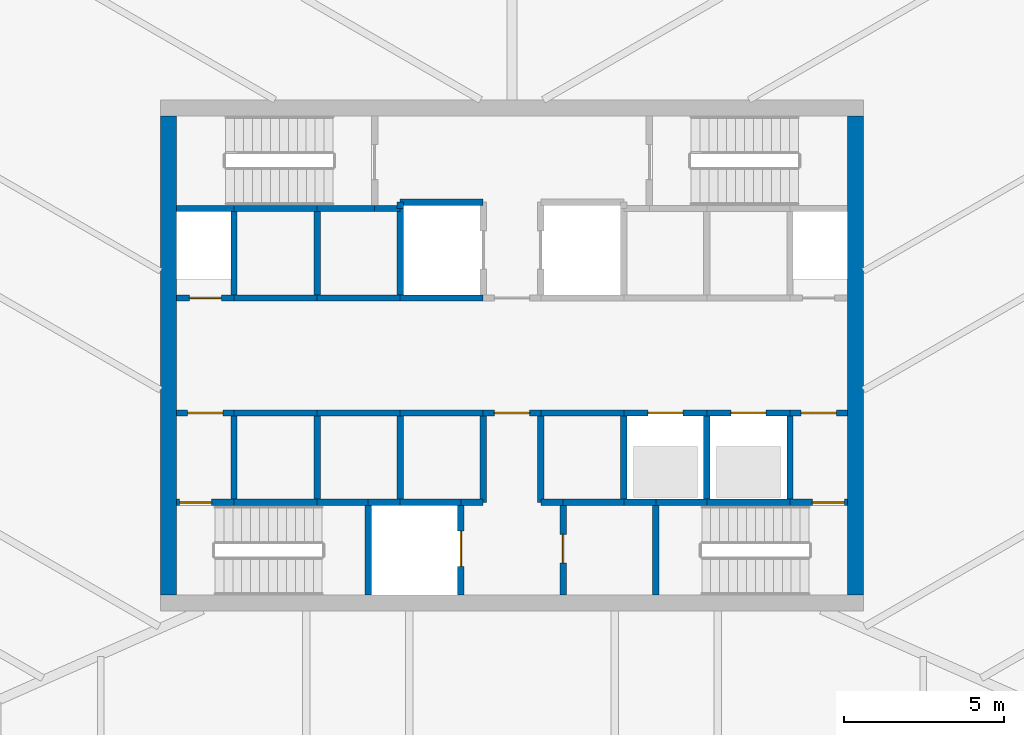
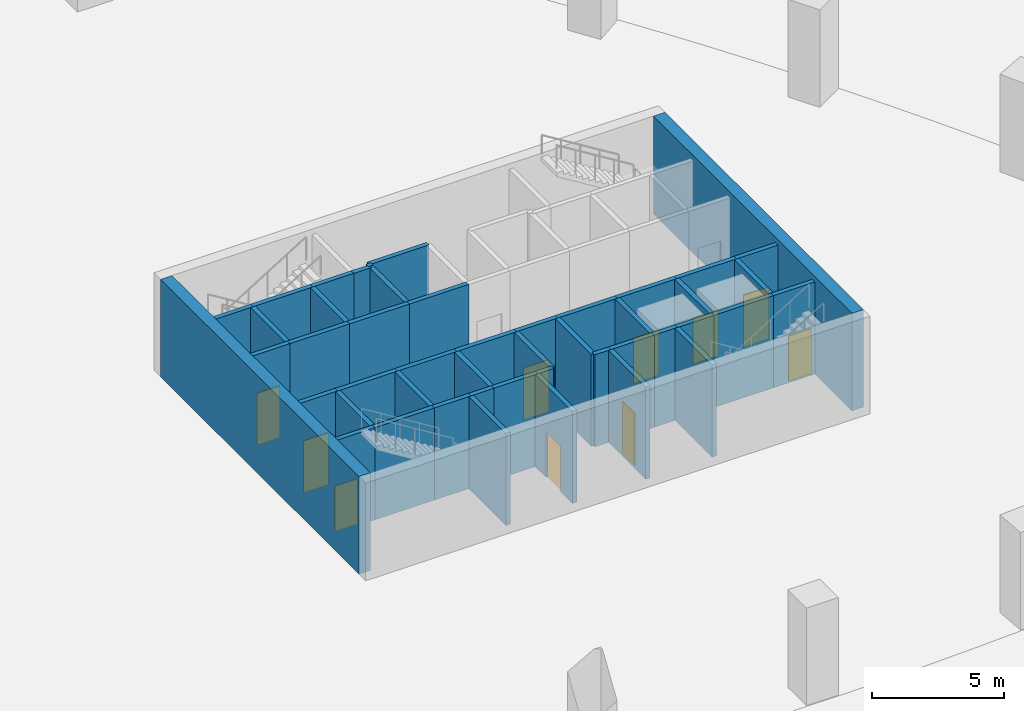
# One storey, part 4 of 10: 48 walls, 10 doors, 10 openings.
"""IFC4 building model written with IfcOpenShell, lengths in metres."""

from ifc_helpers import new_model, si_unit, direction, frame, frame_2d, origin, place, context, subcontext, project, spatial, rectangle, extrude, material, layer, layer_set, type_object, element, fill, save


model = new_model("IFC4")

# Units and contexts
model_context = context("Model", 3, precision=1e-05, world=origin(), true_north=direction((0.0, 1.0)))
body_context = subcontext(model_context, "Body", "Model", "MODEL_VIEW")
ifc_project = project(units=[si_unit("LENGTHUNIT", "METRE"), si_unit("AREAUNIT", "SQUARE_METRE"), si_unit("VOLUMEUNIT", "CUBIC_METRE"), si_unit("PLANEANGLEUNIT", "RADIAN"), si_unit("MASSUNIT", "GRAM", prefix="KILO")], contexts=[model_context])

# Site, building, storey
site_placement = place(None, origin())
site = spatial("IfcSite", under=ifc_project, at=site_placement, CompositionType="ELEMENT")
building_placement = place(site_placement, origin())
building = spatial("IfcBuilding", under=site, at=building_placement, Name="Sierra Prisma Convention Tower", CompositionType="ELEMENT")
storey_placement = place(building_placement, frame((0.0, 0.0, -4.5)))
storey = spatial("IfcBuildingStorey", under=building, at=storey_placement, Name="B1", CompositionType="ELEMENT", Elevation=-4.5)

# Wall, opening, door
ifc_material_1 = material(Name="Concrete C30/37", Category="concrete")
ifc_layer_1 = layer(ifc_material_1, 0.199951171875)
ifc_layer_set_1 = layer_set([ifc_layer_1], Name="Core wall RC 200 C30/37")
wall_type_1 = type_object("IfcWallType", Name="Core wall RC 200 C30/37", PredefinedType="SOLIDWALL", material=ifc_layer_set_1)
wall_1_placement = place(storey_placement, frame((-10.5, -4.60009765625, 0.0), z_axis=(0.0, 0.0, 1.0), x_axis=(1.0, 0.0, 0.0)))
wall_1 = element("IfcWall", 1, at=wall_1_placement, inside=storey, type_object=wall_type_1, Name="Core wall B1 1", PredefinedType="SOLIDWALL", context=body_context, shape_type="SweptSolid", body=[
    extrude(rectangle(XDim=1.800048828125, YDim=0.199951171875, at=frame_2d((0.89990234375, 0.0))), origin(), (0.0, 0.0, 1.0), 4.25),
])
opening_1_placement = place(wall_1_placement, frame((0.10009765625, 0.0, 0.0)))
opening_1 = element("IfcOpeningElement", 2, at=opening_1_placement, cuts=wall_1, Name="Opening B1-D012", PredefinedType="OPENING", context=body_context, shape_type="SweptSolid", body=[
    extrude(rectangle(XDim=1.0, YDim=2.10009765625, at=frame_2d((0.5, 1.050048828125))), frame((0.0, 0.10009765625, 0.0), z_axis=(0.0, -1.0, 0.0), x_axis=(1.0, 0.0, 0.0)), (0.0, 0.0, 1.0), 0.199951171875),
])
ifc_material_2 = material(Name="Steel fire door leaf", Category="steel")
door_type_1 = type_object("IfcDoorType", Name="Door 1000x2100 FD90S", OperationType="SINGLE_SWING_LEFT", PredefinedType="DOOR", material=ifc_material_2)
door_1_placement = place(opening_1_placement, origin())
door_1 = element("IfcDoor", 3, at=door_1_placement, inside=storey, type_object=door_type_1, Name="Door B1 12", OperationType="SINGLE_SWING_LEFT", OverallHeight=2.10009765625, OverallWidth=1.0, PredefinedType="DOOR", context=body_context, shape_type="SweptSolid", body=[
    extrude(rectangle(XDim=1.0, YDim=2.10009765625, at=frame_2d((0.5, 1.050048828125))), frame((0.0, 0.02490234375, 0.0), z_axis=(0.0, -1.0, 0.0), x_axis=(1.0, 0.0, 0.0)), (0.0, 0.0, 1.0), 0.050048828125),
])
fill(opening_1, door_1)

wall_2_placement = place(storey_placement, frame((-10.5, -1.800048828125, 0.0), z_axis=(0.0, 0.0, 1.0), x_axis=(1.0, 0.0, 0.0)))
wall_2 = element("IfcWall", 4, at=wall_2_placement, inside=storey, type_object=wall_type_1, Name="Core wall B1 2", PredefinedType="SOLIDWALL", context=body_context, shape_type="SweptSolid", body=[
    extrude(rectangle(XDim=1.800048828125, YDim=0.199951171875, at=frame_2d((0.89990234375, 0.0))), origin(), (0.0, 0.0, 1.0), 4.25),
])
opening_2_placement = place(wall_2_placement, frame((0.35009765625, 0.0, 0.0)))
opening_2 = element("IfcOpeningElement", 5, at=opening_2_placement, cuts=wall_2, Name="Opening B1-D006", PredefinedType="OPENING", context=body_context, shape_type="SweptSolid", body=[
    extrude(rectangle(XDim=1.10009765625, YDim=2.39990234375, at=frame_2d((0.550048828125, 1.199951171875))), frame((0.0, 0.10009765625, 0.0), z_axis=(0.0, -1.0, 0.0), x_axis=(1.0, 0.0, 0.0)), (0.0, 0.0, 1.0), 0.199951171875),
])
ifc_material_3 = material(Name="Steel fire door leaf", Category="steel")
door_type_2 = type_object("IfcDoorType", Name="Door 1100x2400 FD90S", OperationType="SINGLE_SWING_LEFT", PredefinedType="DOOR", material=ifc_material_3)
door_2_placement = place(opening_2_placement, origin())
door_2 = element("IfcDoor", 6, at=door_2_placement, inside=storey, type_object=door_type_2, Name="Door B1 6", OperationType="SINGLE_SWING_LEFT", OverallHeight=2.39990234375, OverallWidth=1.10009765625, PredefinedType="DOOR", context=body_context, shape_type="SweptSolid", body=[
    extrude(rectangle(XDim=1.10009765625, YDim=2.39990234375, at=frame_2d((0.550048828125, 1.199951171875))), frame((0.0, 0.02490234375, 0.0), z_axis=(0.0, -1.0, 0.0), x_axis=(1.0, 0.0, 0.0)), (0.0, 0.0, 1.0), 0.050048828125),
])
fill(opening_2, door_2)

wall_3_placement = place(storey_placement, frame((-8.699951171875, 1.800048828125, 0.0), z_axis=(0.0, 0.0, 1.0), x_axis=(-1.0, 0.0, 0.0)))
wall_3 = element("IfcWall", 7, at=wall_3_placement, inside=storey, type_object=wall_type_1, Name="Core wall B1 3", PredefinedType="SOLIDWALL", context=body_context, shape_type="SweptSolid", body=[
    extrude(rectangle(XDim=1.800048828125, YDim=0.199951171875, at=frame_2d((0.89990234375, 0.0))), origin(), (0.0, 0.0, 1.0), 4.25),
])
opening_3_placement = place(wall_3_placement, frame((0.39990234375, 0.0, 0.0)))
opening_3 = element("IfcOpeningElement", 8, at=opening_3_placement, cuts=wall_3, Name="Opening B1-D010", PredefinedType="OPENING", context=body_context, shape_type="SweptSolid", body=[
    extrude(rectangle(XDim=1.0, YDim=2.39990234375, at=frame_2d((0.5, 1.199951171875))), frame((0.0, 0.10009765625, 0.0), z_axis=(0.0, -1.0, 0.0), x_axis=(1.0, 0.0, 0.0)), (0.0, 0.0, 1.0), 0.199951171875),
])
ifc_material_4 = material(Name="Steel fire door leaf", Category="steel")
door_type_3 = type_object("IfcDoorType", Name="Door 1000x2400 FD60S", OperationType="SINGLE_SWING_LEFT", PredefinedType="DOOR", material=ifc_material_4)
door_3_placement = place(opening_3_placement, origin())
door_3 = element("IfcDoor", 9, at=door_3_placement, inside=storey, type_object=door_type_3, Name="Door B1 10", OperationType="SINGLE_SWING_RIGHT", OverallHeight=2.39990234375, OverallWidth=1.0, PredefinedType="DOOR", context=body_context, shape_type="SweptSolid", body=[
    extrude(rectangle(XDim=1.0, YDim=2.39990234375, at=frame_2d((0.5, 1.199951171875))), frame((0.0, 0.02490234375, 0.0), z_axis=(0.0, -1.0, 0.0), x_axis=(1.0, 0.0, 0.0)), (0.0, 0.0, 1.0), 0.050048828125),
])
fill(opening_3, door_3)

# Walls
wall_4_placement = place(storey_placement, frame((-8.699951171875, 4.60009765625, 0.0), z_axis=(0.0, 0.0, 1.0), x_axis=(-1.0, 0.0, 0.0)))
element("IfcWall", 10, at=wall_4_placement, inside=storey, type_object=wall_type_1, Name="Core wall B1 4", PredefinedType="SOLIDWALL", context=body_context, shape_type="SweptSolid", body=[
    extrude(rectangle(XDim=1.800048828125, YDim=0.199951171875, at=frame_2d((0.89990234375, 0.0))), origin(), (0.0, 0.0, 1.0), 4.25),
])
wall_5_placement = place(storey_placement, frame((-8.699951171875, -4.60009765625, 0.0), z_axis=(0.0, 0.0, 1.0), x_axis=(1.0, 0.0, 0.0)))
element("IfcWall", 11, at=wall_5_placement, inside=storey, type_object=wall_type_1, Name="Core wall B1 5", PredefinedType="SOLIDWALL", context=body_context, shape_type="SweptSolid", body=[
    extrude(rectangle(XDim=2.599853515625, YDim=0.199951171875, at=frame_2d((1.2998046875, 0.0))), origin(), (0.0, 0.0, 1.0), 4.25),
])
wall_6_placement = place(storey_placement, frame((-8.699951171875, -4.60009765625, 0.0), z_axis=(0.0, 0.0, 1.0), x_axis=(0.0, 1.0, 0.0)))
element("IfcWall", 12, at=wall_6_placement, inside=storey, type_object=wall_type_1, Name="Core wall B1 6", PredefinedType="SOLIDWALL", context=body_context, shape_type="SweptSolid", body=[
    extrude(rectangle(XDim=2.800048828125, YDim=0.199951171875, at=frame_2d((1.39990234375, 0.0))), origin(), (0.0, 0.0, 1.0), 4.25),
])
for number, where, z_axis, x_axis, name in (
    (13, (-8.699951171875, -1.800048828125, 0.0), (0.0, 0.0, 1.0), (1.0, 0.0, 0.0), "Core wall B1 7"),
    (14, (-6.10009765625, 1.800048828125, 0.0), (0.0, 0.0, 1.0), (-1.0, 0.0, 0.0), "Core wall B1 8"),
):
    element("IfcWall", number, at=place(storey_placement, frame(where, z_axis=z_axis, x_axis=x_axis)), inside=storey, type_object=wall_type_1, Name=name, PredefinedType="SOLIDWALL", context=body_context, shape_type="SweptSolid", body=[
        extrude(rectangle(XDim=2.599853515625, YDim=0.199951171875, at=frame_2d((1.2998046875, 0.0))), origin(), (0.0, 0.0, 1.0), 4.25),
    ])
wall_7_placement = place(storey_placement, frame((-8.699951171875, 1.800048828125, 0.0), z_axis=(0.0, 0.0, 1.0), x_axis=(0.0, 1.0, 0.0)))
element("IfcWall", 15, at=wall_7_placement, inside=storey, type_object=wall_type_1, Name="Core wall B1 9", PredefinedType="SOLIDWALL", context=body_context, shape_type="SweptSolid", body=[
    extrude(rectangle(XDim=2.800048828125, YDim=0.199951171875, at=frame_2d((1.39990234375, 0.0))), origin(), (0.0, 0.0, 1.0), 4.25),
])
wall_8_placement = place(storey_placement, frame((-6.10009765625, 4.60009765625, 0.0), z_axis=(0.0, 0.0, 1.0), x_axis=(-1.0, 0.0, 0.0)))
element("IfcWall", 16, at=wall_8_placement, inside=storey, type_object=wall_type_1, Name="Core wall B1 10", PredefinedType="SOLIDWALL", context=body_context, shape_type="SweptSolid", body=[
    extrude(rectangle(XDim=2.599853515625, YDim=0.199951171875, at=frame_2d((1.2998046875, 0.0))), origin(), (0.0, 0.0, 1.0), 4.25),
])
wall_9_placement = place(storey_placement, frame((-6.10009765625, -4.60009765625, 0.0), z_axis=(0.0, 0.0, 1.0), x_axis=(1.0, 0.0, 0.0)))
element("IfcWall", 17, at=wall_9_placement, inside=storey, type_object=wall_type_1, Name="Core wall B1 11", PredefinedType="SOLIDWALL", context=body_context, shape_type="SweptSolid", body=[
    extrude(rectangle(XDim=1.60009765625, YDim=0.199951171875, at=frame_2d((0.800048828125, 0.0))), origin(), (0.0, 0.0, 1.0), 4.25),
])
wall_10_placement = place(storey_placement, frame((-6.10009765625, -4.60009765625, 0.0), z_axis=(0.0, 0.0, 1.0), x_axis=(0.0, 1.0, 0.0)))
element("IfcWall", 18, at=wall_10_placement, inside=storey, type_object=wall_type_1, Name="Core wall B1 12", PredefinedType="SOLIDWALL", context=body_context, shape_type="SweptSolid", body=[
    extrude(rectangle(XDim=2.800048828125, YDim=0.199951171875, at=frame_2d((1.39990234375, 0.0))), origin(), (0.0, 0.0, 1.0), 4.25),
])
for number, where, z_axis, x_axis, name in (
    (19, (-6.10009765625, -1.800048828125, 0.0), (0.0, 0.0, 1.0), (1.0, 0.0, 0.0), "Core wall B1 13"),
    (20, (-3.5, 1.800048828125, 0.0), (0.0, 0.0, 1.0), (-1.0, 0.0, 0.0), "Core wall B1 14"),
):
    element("IfcWall", number, at=place(storey_placement, frame(where, z_axis=z_axis, x_axis=x_axis)), inside=storey, type_object=wall_type_1, Name=name, PredefinedType="SOLIDWALL", context=body_context, shape_type="SweptSolid", body=[
        extrude(rectangle(XDim=2.60009765625, YDim=0.199951171875, at=frame_2d((1.300048828125, 0.0))), origin(), (0.0, 0.0, 1.0), 4.25),
    ])
wall_11_placement = place(storey_placement, frame((-6.10009765625, 1.800048828125, 0.0), z_axis=(0.0, 0.0, 1.0), x_axis=(0.0, 1.0, 0.0)))
element("IfcWall", 21, at=wall_11_placement, inside=storey, type_object=wall_type_1, Name="Core wall B1 15", PredefinedType="SOLIDWALL", context=body_context, shape_type="SweptSolid", body=[
    extrude(rectangle(XDim=2.800048828125, YDim=0.199951171875, at=frame_2d((1.39990234375, 0.0))), origin(), (0.0, 0.0, 1.0), 4.25),
])
wall_12_placement = place(storey_placement, frame((-4.300048828125, 4.60009765625, 0.0), z_axis=(0.0, 0.0, 1.0), x_axis=(-1.0, 0.0, 0.0)))
element("IfcWall", 22, at=wall_12_placement, inside=storey, type_object=wall_type_1, Name="Core wall B1 16", PredefinedType="SOLIDWALL", context=body_context, shape_type="SweptSolid", body=[
    extrude(rectangle(XDim=1.800048828125, YDim=0.199951171875, at=frame_2d((0.89990234375, 0.0))), origin(), (0.0, 0.0, 1.0), 4.25),
])
wall_13_placement = place(storey_placement, frame((-4.5, -4.60009765625, 0.0), z_axis=(0.0, 0.0, 1.0), x_axis=(0.0, -1.0, 0.0)))
element("IfcWall", 23, at=wall_13_placement, inside=storey, type_object=wall_type_1, Name="Core wall B1 17", PredefinedType="SOLIDWALL", context=body_context, shape_type="SweptSolid", body=[
    extrude(rectangle(XDim=2.89990234375, YDim=0.199951171875, at=frame_2d((1.449951171875, 0.0))), origin(), (0.0, 0.0, 1.0), 4.25),
])
wall_14_placement = place(storey_placement, frame((-4.5, -4.60009765625, 0.0), z_axis=(0.0, 0.0, 1.0), x_axis=(1.0, 0.0, 0.0)))
element("IfcWall", 24, at=wall_14_placement, inside=storey, type_object=wall_type_1, Name="Core wall B1 18", PredefinedType="SOLIDWALL", context=body_context, shape_type="SweptSolid", body=[
    extrude(rectangle(XDim=1.0, YDim=0.199951171875, at=frame_2d((0.5, 0.0))), origin(), (0.0, 0.0, 1.0), 4.25),
])
wall_15_placement = place(storey_placement, frame((-3.5, 4.60009765625, 0.0), z_axis=(0.0, 0.0, 1.0), x_axis=(-1.0, 0.0, 0.0)))
element("IfcWall", 25, at=wall_15_placement, inside=storey, type_object=wall_type_1, Name="Core wall B1 19", PredefinedType="SOLIDWALL", context=body_context, shape_type="SweptSolid", body=[
    extrude(rectangle(XDim=0.800048828125, YDim=0.199951171875, at=frame_2d((0.39990234375, 0.0))), origin(), (0.0, 0.0, 1.0), 4.25),
])
wall_16_placement = place(storey_placement, frame((-3.5, -4.60009765625, 0.0), z_axis=(0.0, 0.0, 1.0), x_axis=(1.0, 0.0, 0.0)))
element("IfcWall", 26, at=wall_16_placement, inside=storey, type_object=wall_type_1, Name="Core wall B1 21", PredefinedType="SOLIDWALL", context=body_context, shape_type="SweptSolid", body=[
    extrude(rectangle(XDim=1.89990234375, YDim=0.199951171875, at=frame_2d((0.949951171875, 0.0))), origin(), (0.0, 0.0, 1.0), 4.25),
])
wall_17_placement = place(storey_placement, frame((-3.5, -4.60009765625, 0.0), z_axis=(0.0, 0.0, 1.0), x_axis=(0.0, 1.0, 0.0)))
element("IfcWall", 27, at=wall_17_placement, inside=storey, type_object=wall_type_1, Name="Core wall B1 22", PredefinedType="SOLIDWALL", context=body_context, shape_type="SweptSolid", body=[
    extrude(rectangle(XDim=2.800048828125, YDim=0.199951171875, at=frame_2d((1.39990234375, 0.0))), origin(), (0.0, 0.0, 1.0), 4.25),
])
for number, where, z_axis, x_axis, name in (
    (28, (-3.5, -1.800048828125, 0.0), (0.0, 0.0, 1.0), (1.0, 0.0, 0.0), "Core wall B1 23"),
    (29, (-0.89990234375, 1.800048828125, 0.0), (0.0, 0.0, 1.0), (-1.0, 0.0, 0.0), "Core wall B1 24"),
):
    element("IfcWall", number, at=place(storey_placement, frame(where, z_axis=z_axis, x_axis=x_axis)), inside=storey, type_object=wall_type_1, Name=name, PredefinedType="SOLIDWALL", context=body_context, shape_type="SweptSolid", body=[
        extrude(rectangle(XDim=2.60009765625, YDim=0.199951171875, at=frame_2d((1.300048828125, 0.0))), origin(), (0.0, 0.0, 1.0), 4.25),
    ])
wall_18_placement = place(storey_placement, frame((-3.5, 4.60009765625, 0.0), z_axis=(0.0, 0.0, 1.0), x_axis=(0.0, -1.0, 0.0)))
element("IfcWall", 30, at=wall_18_placement, inside=storey, type_object=wall_type_1, Name="Core wall B1 25", PredefinedType="SOLIDWALL", context=body_context, shape_type="SweptSolid", body=[
    extrude(rectangle(XDim=2.800048828125, YDim=0.199951171875, at=frame_2d((1.39990234375, 0.0))), origin(), (0.0, 0.0, 1.0), 4.25),
])
wall_19_placement = place(storey_placement, frame((-0.89990234375, 4.800048828125, 0.0), z_axis=(0.0, 0.0, 1.0), x_axis=(-1.0, 0.0, 0.0)))
element("IfcWall", 31, at=wall_19_placement, inside=storey, type_object=wall_type_1, Name="Core wall B1 27", PredefinedType="SOLIDWALL", context=body_context, shape_type="SweptSolid", body=[
    extrude(rectangle(XDim=2.60009765625, YDim=0.199951171875, at=frame_2d((1.300048828125, 0.0))), origin(), (0.0, 0.0, 1.0), 4.25),
])
wall_20_placement = place(storey_placement, frame((-3.5, 4.800048828125, 0.0), z_axis=(0.0, 0.0, 1.0), x_axis=(0.0, -1.0, 0.0)))
element("IfcWall", 32, at=wall_20_placement, inside=storey, type_object=wall_type_1, Name="Core wall B1 28", PredefinedType="SOLIDWALL", context=body_context, shape_type="SweptSolid", body=[
    extrude(rectangle(XDim=0.199951171875, YDim=0.199951171875, at=frame_2d((0.10009765625, 0.0))), origin(), (0.0, 0.0, 1.0), 4.25),
])

# Wall, opening, door
wall_21_placement = place(storey_placement, frame((-1.60009765625, -7.5, 0.0), z_axis=(0.0, 0.0, 1.0), x_axis=(0.0, 1.0, 0.0)))
wall_21 = element("IfcWall", 33, at=wall_21_placement, inside=storey, type_object=wall_type_1, Name="Core wall B1 29", PredefinedType="SOLIDWALL", context=body_context, shape_type="SweptSolid", body=[
    extrude(rectangle(XDim=2.89990234375, YDim=0.199951171875, at=frame_2d((1.449951171875, 0.0))), origin(), (0.0, 0.0, 1.0), 4.25),
])
opening_4_placement = place(wall_21_placement, frame((0.89990234375, 0.0, 0.0)))
opening_4 = element("IfcOpeningElement", 34, at=opening_4_placement, cuts=wall_21, Name="Opening B1-D005", PredefinedType="OPENING", context=body_context, shape_type="SweptSolid", body=[
    extrude(rectangle(XDim=1.10009765625, YDim=2.10009765625, at=frame_2d((0.550048828125, 1.050048828125))), frame((0.0, 0.10009765625, 0.0), z_axis=(0.0, -1.0, 0.0), x_axis=(1.0, 0.0, 0.0)), (0.0, 0.0, 1.0), 0.199951171875),
])
ifc_material_5 = material(Name="Steel fire door leaf", Category="steel")
door_type_4 = type_object("IfcDoorType", Name="Door 1100x2100 EI 90 sliding lift landing", OperationType="SLIDING_TO_LEFT", PredefinedType="DOOR", material=ifc_material_5)
door_4_placement = place(opening_4_placement, origin())
door_4 = element("IfcDoor", 35, at=door_4_placement, inside=storey, type_object=door_type_4, Name="Door B1 5", OperationType="SLIDING_TO_RIGHT", OverallHeight=2.10009765625, OverallWidth=1.10009765625, PredefinedType="DOOR", context=body_context, shape_type="SweptSolid", body=[
    extrude(rectangle(XDim=1.10009765625, YDim=2.10009765625, at=frame_2d((0.550048828125, 1.050048828125))), frame((0.0, 0.02490234375, 0.0), z_axis=(0.0, -1.0, 0.0), x_axis=(1.0, 0.0, 0.0)), (0.0, 0.0, 1.0), 0.050048828125),
])
fill(opening_4, door_4)

# Walls
wall_22_placement = place(storey_placement, frame((-1.60009765625, -4.60009765625, 0.0), z_axis=(0.0, 0.0, 1.0), x_axis=(1.0, 0.0, 0.0)))
element("IfcWall", 36, at=wall_22_placement, inside=storey, type_object=wall_type_1, Name="Core wall B1 30", PredefinedType="SOLIDWALL", context=body_context, shape_type="SweptSolid", body=[
    extrude(rectangle(XDim=0.7001953125, YDim=0.199951171875, at=frame_2d((0.35009765625, 0.0))), origin(), (0.0, 0.0, 1.0), 4.25),
])
wall_23_placement = place(storey_placement, frame((-0.89990234375, -4.60009765625, 0.0), z_axis=(0.0, 0.0, 1.0), x_axis=(0.0, 1.0, 0.0)))
element("IfcWall", 37, at=wall_23_placement, inside=storey, type_object=wall_type_1, Name="Core wall B1 31", PredefinedType="SOLIDWALL", context=body_context, shape_type="SweptSolid", body=[
    extrude(rectangle(XDim=2.800048828125, YDim=0.199951171875, at=frame_2d((1.39990234375, 0.0))), origin(), (0.0, 0.0, 1.0), 4.25),
])

# Wall, opening, door
wall_24_placement = place(storey_placement, frame((-0.89990234375, -1.800048828125, 0.0), z_axis=(0.0, 0.0, 1.0), x_axis=(1.0, 0.0, 0.0)))
wall_24 = element("IfcWall", 38, at=wall_24_placement, inside=storey, type_object=wall_type_1, Name="Core wall B1 32", PredefinedType="SOLIDWALL", context=body_context, shape_type="SweptSolid", body=[
    extrude(rectangle(XDim=1.7998046875, YDim=0.199951171875, at=frame_2d((0.89990234375, 0.0))), origin(), (0.0, 0.0, 1.0), 4.25),
])
opening_5_placement = place(wall_24_placement, frame((0.35009765625, 0.0, 0.0)))
opening_5 = element("IfcOpeningElement", 39, at=opening_5_placement, cuts=wall_24, Name="Opening B1-D009", PredefinedType="OPENING", context=body_context, shape_type="SweptSolid", body=[
    extrude(rectangle(XDim=1.10009765625, YDim=2.39990234375, at=frame_2d((0.550048828125, 1.199951171875))), frame((0.0, 0.10009765625, 0.0), z_axis=(0.0, -1.0, 0.0), x_axis=(1.0, 0.0, 0.0)), (0.0, 0.0, 1.0), 0.199951171875),
])
ifc_material_6 = material(Name="Steel fire door leaf", Category="steel")
door_type_5 = type_object("IfcDoorType", Name="Door 1100x2400 FD30S", OperationType="SINGLE_SWING_LEFT", PredefinedType="DOOR", material=ifc_material_6)
door_5_placement = place(opening_5_placement, origin())
door_5 = element("IfcDoor", 40, at=door_5_placement, inside=storey, type_object=door_type_5, Name="Door B1 9", OperationType="SINGLE_SWING_RIGHT", OverallHeight=2.39990234375, OverallWidth=1.10009765625, PredefinedType="DOOR", context=body_context, shape_type="SweptSolid", body=[
    extrude(rectangle(XDim=1.10009765625, YDim=2.39990234375, at=frame_2d((0.550048828125, 1.199951171875))), frame((0.0, 0.02490234375, 0.0), z_axis=(0.0, -1.0, 0.0), x_axis=(1.0, 0.0, 0.0)), (0.0, 0.0, 1.0), 0.050048828125),
])
fill(opening_5, door_5)

# Walls
wall_25_placement = place(storey_placement, frame((0.89990234375, -1.800048828125, 0.0), z_axis=(0.0, 0.0, 1.0), x_axis=(1.0, 0.0, 0.0)))
element("IfcWall", 41, at=wall_25_placement, inside=storey, type_object=wall_type_1, Name="Core wall B1 34", PredefinedType="SOLIDWALL", context=body_context, shape_type="SweptSolid", body=[
    extrude(rectangle(XDim=2.60009765625, YDim=0.199951171875, at=frame_2d((1.300048828125, 0.0))), origin(), (0.0, 0.0, 1.0), 4.25),
])
wall_26_placement = place(storey_placement, frame((0.89990234375, -1.800048828125, 0.0), z_axis=(0.0, 0.0, 1.0), x_axis=(0.0, -1.0, 0.0)))
element("IfcWall", 42, at=wall_26_placement, inside=storey, type_object=wall_type_1, Name="Core wall B1 35", PredefinedType="SOLIDWALL", context=body_context, shape_type="SweptSolid", body=[
    extrude(rectangle(XDim=2.800048828125, YDim=0.199951171875, at=frame_2d((1.39990234375, 0.0))), origin(), (0.0, 0.0, 1.0), 4.25),
])
wall_27_placement = place(storey_placement, frame((0.89990234375, -4.60009765625, 0.0), z_axis=(0.0, 0.0, 1.0), x_axis=(1.0, 0.0, 0.0)))
element("IfcWall", 43, at=wall_27_placement, inside=storey, type_object=wall_type_1, Name="Core wall B1 36", PredefinedType="SOLIDWALL", context=body_context, shape_type="SweptSolid", body=[
    extrude(rectangle(XDim=0.7001953125, YDim=0.199951171875, at=frame_2d((0.35009765625, 0.0))), origin(), (0.0, 0.0, 1.0), 4.25),
])

# Wall, opening, door
wall_28_placement = place(storey_placement, frame((1.60009765625, -4.60009765625, 0.0), z_axis=(0.0, 0.0, 1.0), x_axis=(0.0, -1.0, 0.0)))
wall_28 = element("IfcWall", 44, at=wall_28_placement, inside=storey, type_object=wall_type_1, Name="Core wall B1 41", PredefinedType="SOLIDWALL", context=body_context, shape_type="SweptSolid", body=[
    extrude(rectangle(XDim=2.89990234375, YDim=0.199951171875, at=frame_2d((1.449951171875, 0.0))), origin(), (0.0, 0.0, 1.0), 4.25),
])
opening_6_placement = place(wall_28_placement, frame((1.0, 0.0, 0.0)))
opening_6 = element("IfcOpeningElement", 45, at=opening_6_placement, cuts=wall_28, Name="Opening B1-D016", PredefinedType="OPENING", context=body_context, shape_type="SweptSolid", body=[
    extrude(rectangle(XDim=0.89990234375, YDim=2.39990234375, at=frame_2d((0.449951171875, 1.199951171875))), frame((0.0, 0.10009765625, 0.0), z_axis=(0.0, -1.0, 0.0), x_axis=(1.0, 0.0, 0.0)), (0.0, 0.0, 1.0), 0.199951171875),
])
ifc_material_7 = material(Name="Steel fire door leaf", Category="steel")
door_type_6 = type_object("IfcDoorType", Name="Door 900x2400 FD30S", OperationType="SINGLE_SWING_LEFT", PredefinedType="DOOR", material=ifc_material_7)
door_6_placement = place(opening_6_placement, origin())
door_6 = element("IfcDoor", 46, at=door_6_placement, inside=storey, type_object=door_type_6, Name="Door B1 16", OperationType="SINGLE_SWING_RIGHT", OverallHeight=2.39990234375, OverallWidth=0.89990234375, PredefinedType="DOOR", context=body_context, shape_type="SweptSolid", body=[
    extrude(rectangle(XDim=0.89990234375, YDim=2.39990234375, at=frame_2d((0.449951171875, 1.199951171875))), frame((0.0, 0.02490234375, 0.0), z_axis=(0.0, -1.0, 0.0), x_axis=(1.0, 0.0, 0.0)), (0.0, 0.0, 1.0), 0.050048828125),
])
fill(opening_6, door_6)

# Walls
wall_29_placement = place(storey_placement, frame((3.5, -4.60009765625, 0.0), z_axis=(0.0, 0.0, 1.0), x_axis=(-1.0, 0.0, 0.0)))
element("IfcWall", 47, at=wall_29_placement, inside=storey, type_object=wall_type_1, Name="Core wall B1 42", PredefinedType="SOLIDWALL", context=body_context, shape_type="SweptSolid", body=[
    extrude(rectangle(XDim=1.89990234375, YDim=0.199951171875, at=frame_2d((0.949951171875, 0.0))), origin(), (0.0, 0.0, 1.0), 4.25),
])
wall_30_placement = place(storey_placement, frame((4.5, -4.60009765625, 0.0), z_axis=(0.0, 0.0, 1.0), x_axis=(-1.0, 0.0, 0.0)))
element("IfcWall", 48, at=wall_30_placement, inside=storey, type_object=wall_type_1, Name="Core wall B1 43", PredefinedType="SOLIDWALL", context=body_context, shape_type="SweptSolid", body=[
    extrude(rectangle(XDim=1.0, YDim=0.199951171875, at=frame_2d((0.5, 0.0))), origin(), (0.0, 0.0, 1.0), 4.25),
])
wall_31_placement = place(storey_placement, frame((3.5, -4.60009765625, 0.0), z_axis=(0.0, 0.0, 1.0), x_axis=(0.0, 1.0, 0.0)))
element("IfcWall", 49, at=wall_31_placement, inside=storey, type_object=wall_type_1, Name="Core wall B1 44", PredefinedType="SOLIDWALL", context=body_context, shape_type="SweptSolid", body=[
    extrude(rectangle(XDim=2.800048828125, YDim=0.199951171875, at=frame_2d((1.39990234375, 0.0))), origin(), (0.0, 0.0, 1.0), 4.25),
])

# Wall, opening, door
wall_32_placement = place(storey_placement, frame((3.5, -1.800048828125, 0.0), z_axis=(0.0, 0.0, 1.0), x_axis=(1.0, 0.0, 0.0)))
wall_32 = element("IfcWall", 50, at=wall_32_placement, inside=storey, type_object=wall_type_1, Name="Core wall B1 45", PredefinedType="SOLIDWALL", context=body_context, shape_type="SweptSolid", body=[
    extrude(rectangle(XDim=2.60009765625, YDim=0.199951171875, at=frame_2d((1.300048828125, 0.0))), origin(), (0.0, 0.0, 1.0), 4.25),
])
opening_7_placement = place(wall_32_placement, frame((0.75, 0.0, 0.0)))
opening_7 = element("IfcOpeningElement", 51, at=opening_7_placement, cuts=wall_32, Name="Opening B1-D001", PredefinedType="OPENING", context=body_context, shape_type="SweptSolid", body=[
    extrude(rectangle(XDim=1.10009765625, YDim=2.10009765625, at=frame_2d((0.550048828125, 1.050048828125))), frame((0.0, 0.10009765625, 0.0), z_axis=(0.0, -1.0, 0.0), x_axis=(1.0, 0.0, 0.0)), (0.0, 0.0, 1.0), 0.199951171875),
])
door_7_placement = place(opening_7_placement, origin())
door_7 = element("IfcDoor", 52, at=door_7_placement, inside=storey, type_object=door_type_4, Name="Door B1 1", OperationType="SLIDING_TO_RIGHT", OverallHeight=2.10009765625, OverallWidth=1.10009765625, PredefinedType="DOOR", context=body_context, shape_type="SweptSolid", body=[
    extrude(rectangle(XDim=1.10009765625, YDim=2.10009765625, at=frame_2d((0.550048828125, 1.050048828125))), frame((0.0, 0.02490234375, 0.0), z_axis=(0.0, -1.0, 0.0), x_axis=(1.0, 0.0, 0.0)), (0.0, 0.0, 1.0), 0.050048828125),
])
fill(opening_7, door_7)

# Walls
wall_33_placement = place(storey_placement, frame((4.5, -7.5, 0.0), z_axis=(0.0, 0.0, 1.0), x_axis=(0.0, 1.0, 0.0)))
element("IfcWall", 53, at=wall_33_placement, inside=storey, type_object=wall_type_1, Name="Core wall B1 51", PredefinedType="SOLIDWALL", context=body_context, shape_type="SweptSolid", body=[
    extrude(rectangle(XDim=2.89990234375, YDim=0.199951171875, at=frame_2d((1.449951171875, 0.0))), origin(), (0.0, 0.0, 1.0), 4.25),
])
wall_34_placement = place(storey_placement, frame((4.5, -4.60009765625, 0.0), z_axis=(0.0, 0.0, 1.0), x_axis=(1.0, 0.0, 0.0)))
element("IfcWall", 54, at=wall_34_placement, inside=storey, type_object=wall_type_1, Name="Core wall B1 52", PredefinedType="SOLIDWALL", context=body_context, shape_type="SweptSolid", body=[
    extrude(rectangle(XDim=1.60009765625, YDim=0.199951171875, at=frame_2d((0.800048828125, 0.0))), origin(), (0.0, 0.0, 1.0), 4.25),
])
wall_35_placement = place(storey_placement, frame((6.10009765625, -4.60009765625, 0.0), z_axis=(0.0, 0.0, 1.0), x_axis=(1.0, 0.0, 0.0)))
element("IfcWall", 55, at=wall_35_placement, inside=storey, type_object=wall_type_1, Name="Core wall B1 53", PredefinedType="SOLIDWALL", context=body_context, shape_type="SweptSolid", body=[
    extrude(rectangle(XDim=2.599853515625, YDim=0.199951171875, at=frame_2d((1.2998046875, 0.0))), origin(), (0.0, 0.0, 1.0), 4.25),
])
wall_36_placement = place(storey_placement, frame((6.10009765625, -4.60009765625, 0.0), z_axis=(0.0, 0.0, 1.0), x_axis=(0.0, 1.0, 0.0)))
element("IfcWall", 56, at=wall_36_placement, inside=storey, type_object=wall_type_1, Name="Core wall B1 54", PredefinedType="SOLIDWALL", context=body_context, shape_type="SweptSolid", body=[
    extrude(rectangle(XDim=2.800048828125, YDim=0.199951171875, at=frame_2d((1.39990234375, 0.0))), origin(), (0.0, 0.0, 1.0), 4.25),
])

# Wall, opening, door
wall_37_placement = place(storey_placement, frame((6.10009765625, -1.800048828125, 0.0), z_axis=(0.0, 0.0, 1.0), x_axis=(1.0, 0.0, 0.0)))
wall_37 = element("IfcWall", 57, at=wall_37_placement, inside=storey, type_object=wall_type_1, Name="Core wall B1 55", PredefinedType="SOLIDWALL", context=body_context, shape_type="SweptSolid", body=[
    extrude(rectangle(XDim=2.599853515625, YDim=0.199951171875, at=frame_2d((1.2998046875, 0.0))), origin(), (0.0, 0.0, 1.0), 4.25),
])
opening_8_placement = place(wall_37_placement, frame((0.75, 0.0, 0.0)))
opening_8 = element("IfcOpeningElement", 58, at=opening_8_placement, cuts=wall_37, Name="Opening B1-D002", PredefinedType="OPENING", context=body_context, shape_type="SweptSolid", body=[
    extrude(rectangle(XDim=1.10009765625, YDim=2.10009765625, at=frame_2d((0.550048828125, 1.050048828125))), frame((0.0, 0.10009765625, 0.0), z_axis=(0.0, -1.0, 0.0), x_axis=(1.0, 0.0, 0.0)), (0.0, 0.0, 1.0), 0.199951171875),
])
door_8_placement = place(opening_8_placement, origin())
door_8 = element("IfcDoor", 59, at=door_8_placement, inside=storey, type_object=door_type_4, Name="Door B1 2", OperationType="SLIDING_TO_RIGHT", OverallHeight=2.10009765625, OverallWidth=1.10009765625, PredefinedType="DOOR", context=body_context, shape_type="SweptSolid", body=[
    extrude(rectangle(XDim=1.10009765625, YDim=2.10009765625, at=frame_2d((0.550048828125, 1.050048828125))), frame((0.0, 0.02490234375, 0.0), z_axis=(0.0, -1.0, 0.0), x_axis=(1.0, 0.0, 0.0)), (0.0, 0.0, 1.0), 0.050048828125),
])
fill(opening_8, door_8)

wall_38_placement = place(storey_placement, frame((8.699951171875, -4.60009765625, 0.0), z_axis=(0.0, 0.0, 1.0), x_axis=(1.0, 0.0, 0.0)))
wall_38 = element("IfcWall", 60, at=wall_38_placement, inside=storey, type_object=wall_type_1, Name="Core wall B1 59", PredefinedType="SOLIDWALL", context=body_context, shape_type="SweptSolid", body=[
    extrude(rectangle(XDim=1.800048828125, YDim=0.199951171875, at=frame_2d((0.89990234375, 0.0))), origin(), (0.0, 0.0, 1.0), 4.25),
])
opening_9_placement = place(wall_38_placement, frame((0.699951171875, 0.0, 0.0)))
opening_9 = element("IfcOpeningElement", 61, at=opening_9_placement, cuts=wall_38, Name="Opening B1-D013", PredefinedType="OPENING", context=body_context, shape_type="SweptSolid", body=[
    extrude(rectangle(XDim=1.0, YDim=2.10009765625, at=frame_2d((0.5, 1.050048828125))), frame((0.0, 0.10009765625, 0.0), z_axis=(0.0, -1.0, 0.0), x_axis=(1.0, 0.0, 0.0)), (0.0, 0.0, 1.0), 0.199951171875),
])
door_9_placement = place(opening_9_placement, origin())
door_9 = element("IfcDoor", 62, at=door_9_placement, inside=storey, type_object=door_type_1, Name="Door B1 13", OperationType="SINGLE_SWING_RIGHT", OverallHeight=2.10009765625, OverallWidth=1.0, PredefinedType="DOOR", context=body_context, shape_type="SweptSolid", body=[
    extrude(rectangle(XDim=1.0, YDim=2.10009765625, at=frame_2d((0.5, 1.050048828125))), frame((0.0, 0.02490234375, 0.0), z_axis=(0.0, -1.0, 0.0), x_axis=(1.0, 0.0, 0.0)), (0.0, 0.0, 1.0), 0.050048828125),
])
fill(opening_9, door_9)

# Wall
wall_39_placement = place(storey_placement, frame((8.699951171875, -1.800048828125, 0.0), z_axis=(0.0, 0.0, 1.0), x_axis=(0.0, -1.0, 0.0)))
element("IfcWall", 63, at=wall_39_placement, inside=storey, type_object=wall_type_1, Name="Core wall B1 60", PredefinedType="SOLIDWALL", context=body_context, shape_type="SweptSolid", body=[
    extrude(rectangle(XDim=2.800048828125, YDim=0.199951171875, at=frame_2d((1.39990234375, 0.0))), origin(), (0.0, 0.0, 1.0), 4.25),
])

# Wall, opening, door
wall_40_placement = place(storey_placement, frame((8.699951171875, -1.800048828125, 0.0), z_axis=(0.0, 0.0, 1.0), x_axis=(1.0, 0.0, 0.0)))
wall_40 = element("IfcWall", 64, at=wall_40_placement, inside=storey, type_object=wall_type_1, Name="Core wall B1 61", PredefinedType="SOLIDWALL", context=body_context, shape_type="SweptSolid", body=[
    extrude(rectangle(XDim=1.800048828125, YDim=0.199951171875, at=frame_2d((0.89990234375, 0.0))), origin(), (0.0, 0.0, 1.0), 4.25),
])
opening_10_placement = place(wall_40_placement, frame((0.35009765625, 0.0, 0.0)))
opening_10 = element("IfcOpeningElement", 65, at=opening_10_placement, cuts=wall_40, Name="Opening B1-D007", PredefinedType="OPENING", context=body_context, shape_type="SweptSolid", body=[
    extrude(rectangle(XDim=1.10009765625, YDim=2.39990234375, at=frame_2d((0.550048828125, 1.199951171875))), frame((0.0, 0.10009765625, 0.0), z_axis=(0.0, -1.0, 0.0), x_axis=(1.0, 0.0, 0.0)), (0.0, 0.0, 1.0), 0.199951171875),
])
door_10_placement = place(opening_10_placement, origin())
door_10 = element("IfcDoor", 66, at=door_10_placement, inside=storey, type_object=door_type_2, Name="Door B1 7", OperationType="SINGLE_SWING_RIGHT", OverallHeight=2.39990234375, OverallWidth=1.10009765625, PredefinedType="DOOR", context=body_context, shape_type="SweptSolid", body=[
    extrude(rectangle(XDim=1.10009765625, YDim=2.39990234375, at=frame_2d((0.550048828125, 1.199951171875))), frame((0.0, 0.02490234375, 0.0), z_axis=(0.0, -1.0, 0.0), x_axis=(1.0, 0.0, 0.0)), (0.0, 0.0, 1.0), 0.050048828125),
])
fill(opening_10, door_10)

# Walls
ifc_material_8 = material(Name="Concrete C70/85", Category="concrete")
ifc_layer_2 = layer(ifc_material_8, 0.5)
ifc_layer_set_2 = layer_set([ifc_layer_2], Name="Core wall RC 500 C70/85")
wall_type_2 = type_object("IfcWallType", Name="Core wall RC 500 C70/85", PredefinedType="SHEAR", material=ifc_layer_set_2)
for number, where, z_axis, x_axis, name in (
    (67, (-10.75, -7.5, 0.0), (0.0, 0.0, 1.0), (0.0, 1.0, 0.0), "Core wall W B1"),
    (68, (10.75, -7.5, 0.0), (0.0, 0.0, 1.0), (0.0, 1.0, 0.0), "Core wall E B1"),
):
    element("IfcWall", number, at=place(storey_placement, frame(where, z_axis=z_axis, x_axis=x_axis)), inside=storey, type_object=wall_type_2, Name=name, PredefinedType="SHEAR", context=body_context, shape_type="SweptSolid", body=[
        extrude(rectangle(XDim=15.0, YDim=0.5, at=frame_2d((7.5, 0.0))), origin(), (0.0, 0.0, 1.0), 4.5),
    ])

save(model, "model.ifc")
